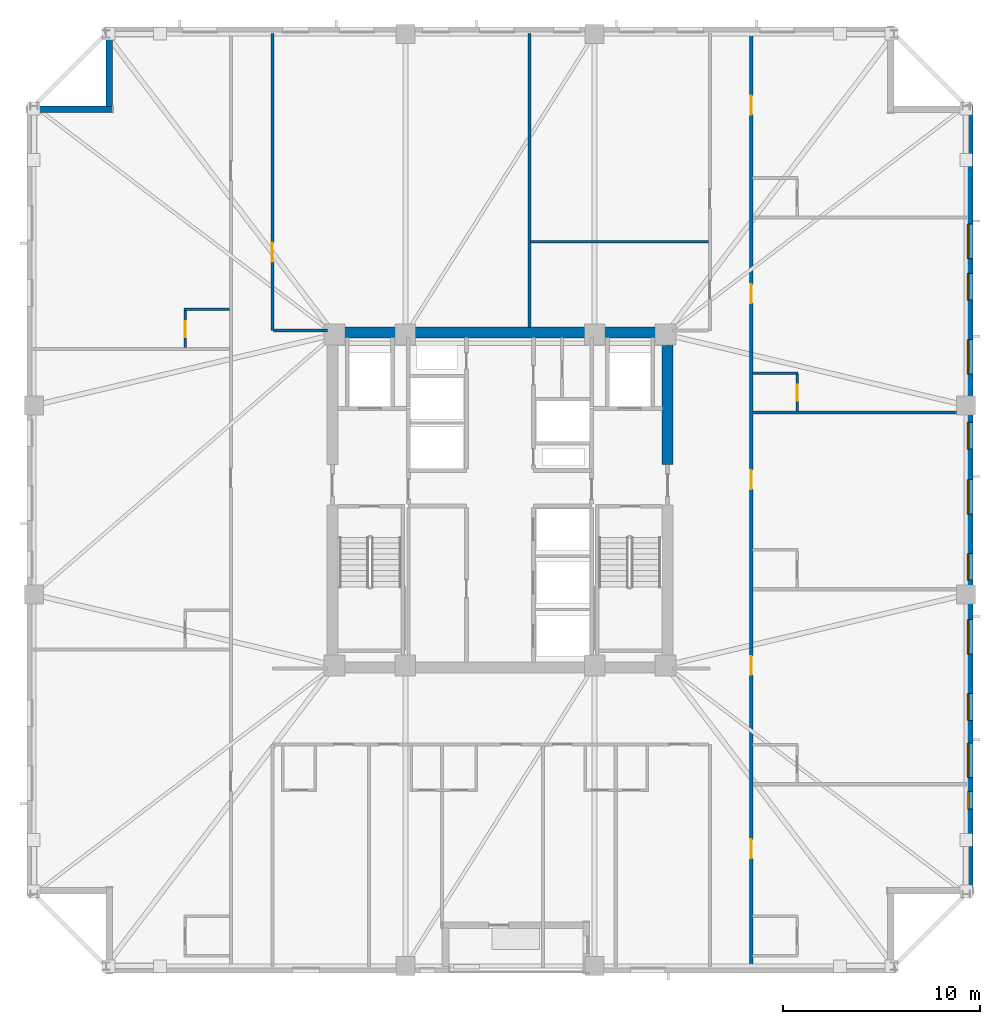
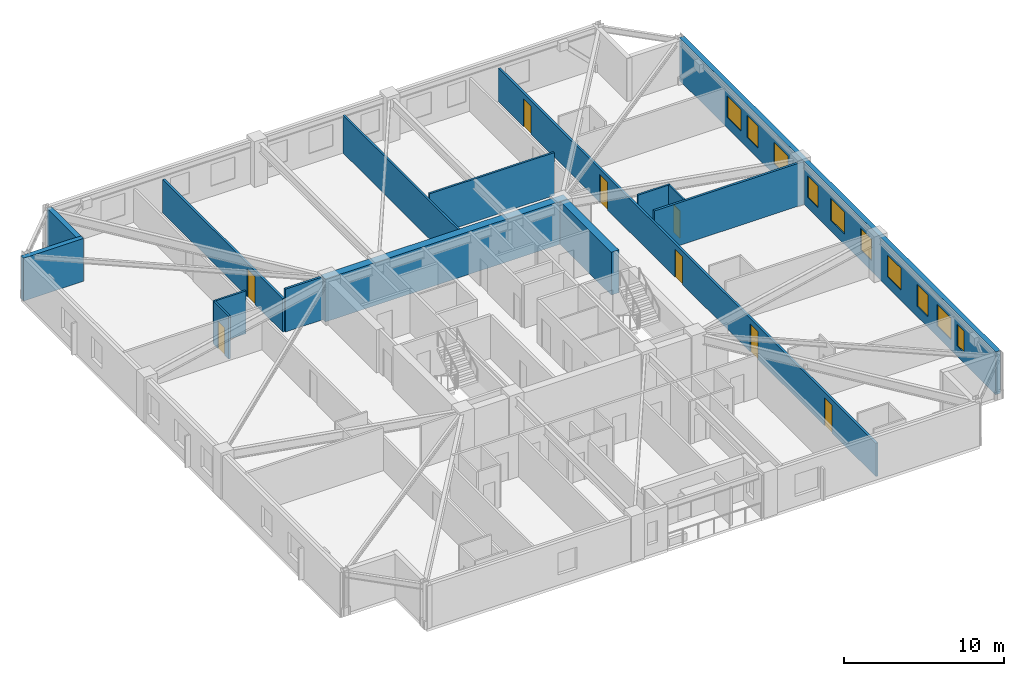
# One storey, part 5 of 11: 15 walls, 10 windows, 8 doors, 18 openings.
"""IFC4 building model written with IfcOpenShell, lengths in metres."""

from ifc_helpers import new_model, si_unit, direction, frame, frame_2d, origin, place, context, subcontext, project, spatial, rectangle, extrude, material, layer, layer_set, type_object, element, fill, save


model = new_model("IFC4")

# Units and contexts
model_context = context("Model", 3, precision=1e-05, world=origin(), true_north=direction((0.0, 1.0)))
body_context = subcontext(model_context, "Body", "Model", "MODEL_VIEW")
ifc_project = project(units=[si_unit("LENGTHUNIT", "METRE"), si_unit("AREAUNIT", "SQUARE_METRE"), si_unit("VOLUMEUNIT", "CUBIC_METRE"), si_unit("PLANEANGLEUNIT", "RADIAN"), si_unit("MASSUNIT", "GRAM", prefix="KILO")], contexts=[model_context])

# Site, building, storey
site_placement = place(None, origin())
site = spatial("IfcSite", under=ifc_project, at=site_placement, CompositionType="ELEMENT")
building_placement = place(site_placement, origin())
building = spatial("IfcBuilding", under=site, at=building_placement, Name="Cairnveth Concourse Tower", CompositionType="ELEMENT")
storey_placement = place(building_placement, frame((0.0, 0.0, 158.5)))
storey = spatial("IfcBuildingStorey", under=building, at=storey_placement, Name="L43", CompositionType="ELEMENT", Elevation=158.5)

# Wall, opening, door
ifc_material_1 = material(Name="Gypsum Plasterboard Partition", Category="gypsum")
ifc_layer_1 = layer(ifc_material_1, 0.159912109375)
ifc_layer_set_1 = layer_set([ifc_layer_1], Name="Gypsum Plasterboard Partition")
wall_type_1 = type_object("IfcWallType", Name="ACOUSTIC PARTY WALL 180", PredefinedType="PARTITIONING", material=ifc_layer_set_1)
wall_1_placement = place(storey_placement, frame((40.449951171875, 47.60009765625, 0.0), z_axis=(0.0, 0.0, 1.0), x_axis=(0.0, 1.0, 0.0)))
wall_1 = element("IfcWall", 1, at=wall_1_placement, inside=storey, type_object=wall_type_1, Name="Interior Wall IW-L43-038", PredefinedType="PARTITIONING", context=body_context, shape_type="SweptSolid", body=[
    extrude(rectangle(XDim=15.074951171875, YDim=0.159912109375, at=frame_2d((7.53759765625, 0.0))), origin(), (0.0, 0.0, 1.0), 2.554931640625),
])
opening_1_placement = place(wall_1_placement, frame((3.5, 0.0, 0.0)))
opening_1 = element("IfcOpeningElement", 2, at=opening_1_placement, cuts=wall_1, Name="Opening ID11", PredefinedType="OPENING", context=body_context, shape_type="SweptSolid", body=[
    extrude(rectangle(XDim=0.9599609375, YDim=2.1201171875, at=frame_2d((0.47998046875, 1.06005859375))), frame((0.0, 0.08984375, 0.0), z_axis=(0.0, -1.0, 0.0), x_axis=(1.0, 0.0, 0.0)), (0.0, 0.0, 1.0), 0.179931640625),
])
ifc_material_2 = material(Name="Solid Core Hardwood Timber Leaf", Category="wood")
door_type_1 = type_object("IfcDoorType", Name="INTERIOR SINGLE DOOR 960X2150", OperationType="NOTDEFINED", PredefinedType="DOOR", material=ifc_material_2)
door_1_placement = place(opening_1_placement, origin())
door_1 = element("IfcDoor", 3, at=door_1_placement, inside=storey, type_object=door_type_1, Name="Interior Door DR-L43-015", OperationType="SINGLE_SWING_LEFT", OverallHeight=2.1201171875, OverallWidth=0.9599609375, PredefinedType="DOOR", context=body_context, shape_type="SweptSolid", body=[
    extrude(rectangle(XDim=0.9599609375, YDim=2.1201171875, at=frame_2d((0.47998046875, 1.06005859375))), frame((0.0, 0.02490234375, 0.0), z_axis=(0.0, -1.0, 0.0), x_axis=(1.0, 0.0, 0.0)), (0.0, 0.0, 1.0), 0.050048828125),
])
fill(opening_1, door_1)

# Wall
wall_2_placement = place(storey_placement, frame((40.514892578125, 47.60009765625, 0.0), z_axis=(0.0, 0.0, 1.0), x_axis=(1.0, 0.0, 0.0)))
element("IfcWall", 4, at=wall_2_placement, inside=storey, type_object=wall_type_1, Name="Interior Wall IW-L43-040", PredefinedType="PARTITIONING", context=body_context, shape_type="SweptSolid", body=[
    extrude(rectangle(XDim=2.72021484375, YDim=0.159912109375, at=frame_2d((1.360107421875, 0.0))), origin(), (0.0, 0.0, 1.0), 3.280029296875),
])

# Wall, openings, doors
wall_3_placement = place(storey_placement, frame((64.75, 15.324951171875, 0.0), z_axis=(0.0, 0.0, 1.0), x_axis=(0.0, 1.0, 0.0)))
wall_3 = element("IfcWall", 5, at=wall_3_placement, inside=storey, type_object=wall_type_1, Name="Interior Wall IW-L43-041", PredefinedType="PARTITIONING", context=body_context, shape_type="SweptSolid", body=[
    extrude(rectangle(XDim=47.35009765625, YDim=0.159912109375, at=frame_2d((23.675048828125, 0.0))), origin(), (0.0, 0.0, 1.0), 2.554931640625),
])
opening_2_placement = place(wall_3_placement, frame((5.49365234375, 0.0, 0.0)))
opening_2 = element("IfcOpeningElement", 6, at=opening_2_placement, cuts=wall_3, Name="Opening ID09", PredefinedType="OPENING", context=body_context, shape_type="SweptSolid", body=[
    extrude(rectangle(XDim=0.9599609375, YDim=2.14990234375, at=frame_2d((0.47998046875, 1.074951171875))), frame((0.0, 0.08984375, 0.0), z_axis=(0.0, -1.0, 0.0), x_axis=(1.0, 0.0, 0.0)), (0.0, 0.0, 1.0), 0.179931640625),
])
opening_3_placement = place(wall_3_placement, frame((14.795654296875, 0.0, 0.0)))
opening_3 = element("IfcOpeningElement", 7, at=opening_3_placement, cuts=wall_3, Name="Opening ID09", PredefinedType="OPENING", context=body_context, shape_type="SweptSolid", body=[
    extrude(rectangle(XDim=0.9599609375, YDim=2.14990234375, at=frame_2d((0.47998046875, 1.074951171875))), frame((0.0, 0.08984375, 0.0), z_axis=(0.0, -1.0, 0.0), x_axis=(1.0, 0.0, 0.0)), (0.0, 0.0, 1.0), 0.179931640625),
])
opening_4_placement = place(wall_3_placement, frame((24.227783203125, 0.0, 0.0)))
opening_4 = element("IfcOpeningElement", 8, at=opening_4_placement, cuts=wall_3, Name="Opening ID09", PredefinedType="OPENING", context=body_context, shape_type="SweptSolid", body=[
    extrude(rectangle(XDim=0.9599609375, YDim=2.14990234375, at=frame_2d((0.47998046875, 1.074951171875))), frame((0.0, 0.08984375, 0.0), z_axis=(0.0, -1.0, 0.0), x_axis=(1.0, 0.0, 0.0)), (0.0, 0.0, 1.0), 0.179931640625),
])
opening_5_placement = place(wall_3_placement, frame((33.659912109375, 0.0, 0.0)))
opening_5 = element("IfcOpeningElement", 9, at=opening_5_placement, cuts=wall_3, Name="Opening ID09", PredefinedType="OPENING", context=body_context, shape_type="SweptSolid", body=[
    extrude(rectangle(XDim=0.9599609375, YDim=2.14990234375, at=frame_2d((0.47998046875, 1.074951171875))), frame((0.0, 0.08984375, 0.0), z_axis=(0.0, -1.0, 0.0), x_axis=(1.0, 0.0, 0.0)), (0.0, 0.0, 1.0), 0.179931640625),
])
opening_6_placement = place(wall_3_placement, frame((43.22900390625, 0.0, 0.0)))
opening_6 = element("IfcOpeningElement", 10, at=opening_6_placement, cuts=wall_3, Name="Opening ID09", PredefinedType="OPENING", context=body_context, shape_type="SweptSolid", body=[
    extrude(rectangle(XDim=0.9599609375, YDim=2.14990234375, at=frame_2d((0.47998046875, 1.074951171875))), frame((0.0, 0.08984375, 0.0), z_axis=(0.0, -1.0, 0.0), x_axis=(1.0, 0.0, 0.0)), (0.0, 0.0, 1.0), 0.179931640625),
])
door_type_2 = type_object("IfcDoorType", Name="HOTEL ENTRANCE DOOR 960X2150", OperationType="NOTDEFINED", PredefinedType="DOOR", material=ifc_material_2)
door_2_placement = place(opening_2_placement, origin())
door_2 = element("IfcDoor", 11, at=door_2_placement, inside=storey, type_object=door_type_2, Name="Hotel Room Door L43-E1", OperationType="SINGLE_SWING_LEFT", OverallHeight=2.14990234375, OverallWidth=0.9599609375, PredefinedType="DOOR", context=body_context, shape_type="SweptSolid", body=[
    extrude(rectangle(XDim=0.9599609375, YDim=2.14990234375, at=frame_2d((0.47998046875, 1.074951171875))), frame((0.0, 0.02490234375, 0.0), z_axis=(0.0, -1.0, 0.0), x_axis=(1.0, 0.0, 0.0)), (0.0, 0.0, 1.0), 0.050048828125),
])
fill(opening_2, door_2)
door_3_placement = place(opening_3_placement, origin())
door_3 = element("IfcDoor", 12, at=door_3_placement, inside=storey, type_object=door_type_2, Name="Hotel Room Door L43-E2", OperationType="SINGLE_SWING_LEFT", OverallHeight=2.14990234375, OverallWidth=0.9599609375, PredefinedType="DOOR", context=body_context, shape_type="SweptSolid", body=[
    extrude(rectangle(XDim=0.9599609375, YDim=2.14990234375, at=frame_2d((0.47998046875, 1.074951171875))), frame((0.0, 0.02490234375, 0.0), z_axis=(0.0, -1.0, 0.0), x_axis=(1.0, 0.0, 0.0)), (0.0, 0.0, 1.0), 0.050048828125),
])
fill(opening_3, door_3)
door_4_placement = place(opening_4_placement, origin())
door_4 = element("IfcDoor", 13, at=door_4_placement, inside=storey, type_object=door_type_2, Name="Hotel Room Door L43-E3", OperationType="SINGLE_SWING_LEFT", OverallHeight=2.14990234375, OverallWidth=0.9599609375, PredefinedType="DOOR", context=body_context, shape_type="SweptSolid", body=[
    extrude(rectangle(XDim=0.9599609375, YDim=2.14990234375, at=frame_2d((0.47998046875, 1.074951171875))), frame((0.0, 0.02490234375, 0.0), z_axis=(0.0, -1.0, 0.0), x_axis=(1.0, 0.0, 0.0)), (0.0, 0.0, 1.0), 0.050048828125),
])
fill(opening_4, door_4)
door_5_placement = place(opening_5_placement, origin())
door_5 = element("IfcDoor", 14, at=door_5_placement, inside=storey, type_object=door_type_2, Name="Hotel Room Door L43-E4", OperationType="SINGLE_SWING_LEFT", OverallHeight=2.14990234375, OverallWidth=0.9599609375, PredefinedType="DOOR", context=body_context, shape_type="SweptSolid", body=[
    extrude(rectangle(XDim=0.9599609375, YDim=2.14990234375, at=frame_2d((0.47998046875, 1.074951171875))), frame((0.0, 0.02490234375, 0.0), z_axis=(0.0, -1.0, 0.0), x_axis=(1.0, 0.0, 0.0)), (0.0, 0.0, 1.0), 0.050048828125),
])
fill(opening_5, door_5)
door_6_placement = place(opening_6_placement, origin())
door_6 = element("IfcDoor", 15, at=door_6_placement, inside=storey, type_object=door_type_2, Name="Hotel Room Door L43-E5", OperationType="SINGLE_SWING_LEFT", OverallHeight=2.14990234375, OverallWidth=0.9599609375, PredefinedType="DOOR", context=body_context, shape_type="SweptSolid", body=[
    extrude(rectangle(XDim=0.9599609375, YDim=2.14990234375, at=frame_2d((0.47998046875, 1.074951171875))), frame((0.0, 0.02490234375, 0.0), z_axis=(0.0, -1.0, 0.0), x_axis=(1.0, 0.0, 0.0)), (0.0, 0.0, 1.0), 0.050048828125),
])
fill(opening_6, door_6)

# Walls
wall_4_placement = place(storey_placement, frame((64.830078125, 43.44140625, 0.0), z_axis=(0.0, 0.0, 1.0), x_axis=(1.0, 0.0, 0.0)))
element("IfcWall", 16, at=wall_4_placement, inside=storey, type_object=wall_type_1, Name="Interior Wall IW-L43-082", PredefinedType="PARTITIONING", context=body_context, shape_type="SweptSolid", body=[
    extrude(rectangle(XDim=10.844970703125, YDim=0.159912109375, at=frame_2d((5.42236328125, 0.0))), origin(), (0.0, 0.0, 1.0), 3.280029296875),
])
ifc_material_3 = material(Name="Concrete N80 (80 MPa)", Category="concrete")
ifc_layer_2 = layer(ifc_material_3, 0.550048828125)
ifc_layer_set_2 = layer_set([ifc_layer_2], Name="Concrete N80 (80 MPa)")
wall_type_2 = type_object("IfcWallType", Name="CORE SHEAR WALL 550", PredefinedType="SHEAR", material=ifc_layer_set_2)
wall_5_placement = place(storey_placement, frame((43.22509765625, 47.5, 0.0), z_axis=(0.0, 0.0, 1.0), x_axis=(1.0, 0.0, 0.0)))
element("IfcWall", 17, at=wall_5_placement, inside=storey, type_object=wall_type_2, Name="Core North Shear Wall L43", PredefinedType="SHEAR", context=body_context, shape_type="SweptSolid", body=[
    extrude(rectangle(XDim=17.5498046875, YDim=0.550048828125, at=frame_2d((8.77490234375, 0.0))), origin(), (0.0, 0.0, 1.0), 3.280029296875),
])
wall_6_placement = place(storey_placement, frame((60.5, 40.800048828125, 0.0), z_axis=(0.0, 0.0, 1.0), x_axis=(0.0, 1.0, 0.0)))
element("IfcWall", 18, at=wall_6_placement, inside=storey, type_object=wall_type_2, Name="Core East Shear Wall N L43", PredefinedType="SHEAR", context=body_context, shape_type="SweptSolid", body=[
    extrude(rectangle(XDim=6.43505859375, YDim=0.550048828125, at=frame_2d((3.217529296875, 0.0))), origin(), (0.0, 0.0, 1.0), 3.280029296875),
])
ifc_layer_3 = layer(ifc_material_1, 0.139892578125)
ifc_layer_set_3 = layer_set([ifc_layer_3], Name="Gypsum Plasterboard Partition")
wall_type_3 = type_object("IfcWallType", Name="GYPSUM STUD PARTITION 140", PredefinedType="PARTITIONING", material=ifc_layer_set_3)
wall_7_placement = place(storey_placement, frame((53.5, 47.760009765625, 0.0), z_axis=(0.0, 0.0, 1.0), x_axis=(0.0, 1.0, 0.0)))
element("IfcWall", 19, at=wall_7_placement, inside=storey, type_object=wall_type_3, Name="Interior Wall IW-L43-047", PredefinedType="PARTITIONING", context=body_context, shape_type="SweptSolid", body=[
    extrude(rectangle(XDim=14.9150390625, YDim=0.139892578125, at=frame_2d((7.45751953125, 0.0))), origin(), (0.0, 0.0, 1.0), 2.89599609375),
])
wall_8_placement = place(storey_placement, frame((53.554931640625, 52.10009765625, 0.0), z_axis=(0.0, 0.0, 1.0), x_axis=(1.0, 0.0, 0.0)))
element("IfcWall", 20, at=wall_8_placement, inside=storey, type_object=wall_type_3, Name="Interior Wall IW-L43-048", PredefinedType="PARTITIONING", context=body_context, shape_type="SweptSolid", body=[
    extrude(rectangle(XDim=9.030029296875, YDim=0.139892578125, at=frame_2d((4.51513671875, 0.0))), origin(), (0.0, 0.0, 1.0), 3.280029296875),
])
ifc_layer_4 = layer(ifc_material_1, 0.1298828125)
ifc_layer_set_4 = layer_set([ifc_layer_4], Name="Gypsum Plasterboard Partition")
wall_type_4 = type_object("IfcWallType", Name="WET AREA PARTITION 140", PredefinedType="PLUMBINGWALL", material=ifc_layer_set_4)
wall_9_placement = place(storey_placement, frame((35.969970703125, 48.669921875, 0.0), z_axis=(0.0, 0.0, 1.0), x_axis=(1.0, 0.0, 0.0)))
element("IfcWall", 21, at=wall_9_placement, inside=storey, type_object=wall_type_4, Name="Interior Wall IW-L43-071", PredefinedType="PLUMBINGWALL", context=body_context, shape_type="SweptSolid", body=[
    extrude(rectangle(XDim=2.31494140625, YDim=0.1298828125, at=frame_2d((1.157470703125, 0.0))), origin(), (0.0, 0.0, 1.0), 3.280029296875),
])

# Wall, opening, door
wall_10_placement = place(storey_placement, frame((36.02001953125, 46.73486328125, 0.0), z_axis=(0.0, 0.0, 1.0), x_axis=(0.0, 1.0, 0.0)))
wall_10 = element("IfcWall", 22, at=wall_10_placement, inside=storey, type_object=wall_type_4, Name="Interior Wall IW-L43-072", PredefinedType="PLUMBINGWALL", context=body_context, shape_type="SweptSolid", body=[
    extrude(rectangle(XDim=1.885009765625, YDim=0.1298828125, at=frame_2d((0.9423828125, 0.0))), origin(), (0.0, 0.0, 1.0), 3.280029296875),
])
opening_7_placement = place(wall_10_placement, frame((0.52490234375, 0.0, 0.0)))
opening_7 = element("IfcOpeningElement", 23, at=opening_7_placement, cuts=wall_10, Name="Opening ID22", PredefinedType="OPENING", context=body_context, shape_type="SweptSolid", body=[
    extrude(rectangle(XDim=0.820068359375, YDim=2.10009765625, at=frame_2d((0.41015625, 1.050048828125))), frame((0.0, 0.074951171875, 0.0), z_axis=(0.0, -1.0, 0.0), x_axis=(1.0, 0.0, 0.0)), (0.0, 0.0, 1.0), 0.14990234375),
])
door_type_3 = type_object("IfcDoorType", Name="INTERIOR WC DOOR 820X2100", OperationType="NOTDEFINED", PredefinedType="DOOR", material=ifc_material_2)
door_7_placement = place(opening_7_placement, origin())
door_7 = element("IfcDoor", 24, at=door_7_placement, inside=storey, type_object=door_type_3, Name="En-Suite Door L43-W3", OperationType="SINGLE_SWING_RIGHT", OverallHeight=2.10009765625, OverallWidth=0.820068359375, PredefinedType="DOOR", context=body_context, shape_type="SweptSolid", body=[
    extrude(rectangle(XDim=0.820068359375, YDim=2.10009765625, at=frame_2d((0.41015625, 1.050048828125))), frame((0.0, 0.02490234375, 0.0), z_axis=(0.0, -1.0, 0.0), x_axis=(1.0, 0.0, 0.0)), (0.0, 0.0, 1.0), 0.050048828125),
])
fill(opening_7, door_7)

# Wall
wall_11_placement = place(storey_placement, frame((64.81494140625, 45.44140625, 0.0), z_axis=(0.0, 0.0, 1.0), x_axis=(1.0, 0.0, 0.0)))
element("IfcWall", 25, at=wall_11_placement, inside=storey, type_object=wall_type_4, Name="Interior Wall IW-L43-083", PredefinedType="PLUMBINGWALL", context=body_context, shape_type="SweptSolid", body=[
    extrude(rectangle(XDim=2.31494140625, YDim=0.1298828125, at=frame_2d((1.157470703125, 0.0))), origin(), (0.0, 0.0, 1.0), 3.280029296875),
])

# Wall, opening, door
wall_12_placement = place(storey_placement, frame((67.080078125, 43.50634765625, 0.0), z_axis=(0.0, 0.0, 1.0), x_axis=(0.0, 1.0, 0.0)))
wall_12 = element("IfcWall", 26, at=wall_12_placement, inside=storey, type_object=wall_type_4, Name="Interior Wall IW-L43-084", PredefinedType="PLUMBINGWALL", context=body_context, shape_type="SweptSolid", body=[
    extrude(rectangle(XDim=1.885009765625, YDim=0.1298828125, at=frame_2d((0.9423828125, 0.0))), origin(), (0.0, 0.0, 1.0), 3.280029296875),
])
opening_8_placement = place(wall_12_placement, frame((0.52490234375, 0.0, 0.0)))
opening_8 = element("IfcOpeningElement", 27, at=opening_8_placement, cuts=wall_12, Name="Opening ID22", PredefinedType="OPENING", context=body_context, shape_type="SweptSolid", body=[
    extrude(rectangle(XDim=0.820068359375, YDim=2.10009765625, at=frame_2d((0.41015625, 1.050048828125))), frame((0.0, 0.074951171875, 0.0), z_axis=(0.0, -1.0, 0.0), x_axis=(1.0, 0.0, 0.0)), (0.0, 0.0, 1.0), 0.14990234375),
])
door_8_placement = place(opening_8_placement, origin())
door_8 = element("IfcDoor", 28, at=door_8_placement, inside=storey, type_object=door_type_3, Name="En-Suite Door L43-E4", OperationType="SINGLE_SWING_RIGHT", OverallHeight=2.10009765625, OverallWidth=0.820068359375, PredefinedType="DOOR", context=body_context, shape_type="SweptSolid", body=[
    extrude(rectangle(XDim=0.820068359375, YDim=2.10009765625, at=frame_2d((0.41015625, 1.050048828125))), frame((0.0, 0.02490234375, 0.0), z_axis=(0.0, -1.0, 0.0), x_axis=(1.0, 0.0, 0.0)), (0.0, 0.0, 1.0), 0.050048828125),
])
fill(opening_8, door_8)

# Walls
ifc_material_4 = material(Name="Hawthorn Red-Ochre Fired Clay Brick Masonry", Category="masonry")
ifc_layer_5 = layer(ifc_material_4, 0.340087890625)
ifc_layer_set_5 = layer_set([ifc_layer_5], Name="Hawthorn Red-Ochre Fired Clay Brick Masonry")
wall_type_5 = type_object("IfcWallType", Name="ZONE 2 BRICK PIER SPANDREL WALL 340", PredefinedType="SOLIDWALL", material=ifc_layer_set_5)
wall_13_placement = place(storey_placement, frame((28.0, 58.830078125, 0.0), z_axis=(0.0, 0.0, 1.0), x_axis=(1.0, 0.0, 0.0)))
element("IfcWall", 29, at=wall_13_placement, inside=storey, type_object=wall_type_5, Name="Exterior Wall EW-L43-S04", PredefinedType="SOLIDWALL", context=body_context, shape_type="SweptSolid", body=[
    extrude(rectangle(XDim=4.340087890625, YDim=0.340087890625, at=frame_2d((2.169921875, 0.0))), origin(), (0.0, 0.0, 1.0), 3.280029296875),
])
wall_14_placement = place(storey_placement, frame((32.169921875, 58.97802734375, 0.0), z_axis=(0.0, 0.0, 1.0), x_axis=(0.0, 1.0, 0.0)))
element("IfcWall", 30, at=wall_14_placement, inside=storey, type_object=wall_type_5, Name="Exterior Wall EW-L43-S05", PredefinedType="SOLIDWALL", context=body_context, shape_type="SweptSolid", body=[
    extrude(rectangle(XDim=3.703857421875, YDim=0.340087890625, at=frame_2d((1.85205078125, 0.0))), origin(), (0.0, 0.0, 1.0), 3.280029296875),
])

# Wall, openings, windows
wall_15_placement = place(storey_placement, frame((75.830078125, 59.0, 0.0), z_axis=(0.0, 0.0, 1.0), x_axis=(0.0, -1.0, 0.0)))
wall_15 = element("IfcWall", 31, at=wall_15_placement, inside=storey, type_object=wall_type_5, Name="Exterior Wall EW-L43-S09", PredefinedType="SOLIDWALL", context=body_context, shape_type="SweptSolid", body=[
    extrude(rectangle(XDim=39.681884765625, YDim=0.340087890625, at=frame_2d((19.8408203125, 0.0))), origin(), (0.0, 0.0, 1.0), 3.280029296875),
])
opening_9_placement = place(wall_15_placement, frame((6.001708984375, 0.0, 0.800048828125)))
opening_9 = element("IfcOpeningElement", 32, at=opening_9_placement, cuts=wall_15, Name="Opening W06", PredefinedType="OPENING", context=body_context, shape_type="SweptSolid", body=[
    extrude(rectangle(XDim=1.75, YDim=1.659912109375, at=frame_2d((0.875, 0.830078125))), frame((0.0, 0.179931640625, 0.0), z_axis=(0.0, -1.0, 0.0), x_axis=(1.0, 0.0, 0.0)), (0.0, 0.0, 1.0), 0.360107421875),
])
opening_10_placement = place(wall_15_placement, frame((8.50537109375, 0.0, 0.800048828125)))
opening_10 = element("IfcOpeningElement", 33, at=opening_10_placement, cuts=wall_15, Name="Opening W02", PredefinedType="OPENING", context=body_context, shape_type="SweptSolid", body=[
    extrude(rectangle(XDim=1.35009765625, YDim=1.659912109375, at=frame_2d((0.675048828125, 0.830078125))), frame((0.0, 0.179931640625, 0.0), z_axis=(0.0, -1.0, 0.0), x_axis=(1.0, 0.0, 0.0)), (0.0, 0.0, 1.0), 0.360107421875),
])
opening_11_placement = place(wall_15_placement, frame((11.85888671875, 0.0, 0.800048828125)))
opening_11 = element("IfcOpeningElement", 34, at=opening_11_placement, cuts=wall_15, Name="Opening W06", PredefinedType="OPENING", context=body_context, shape_type="SweptSolid", body=[
    extrude(rectangle(XDim=1.75, YDim=1.659912109375, at=frame_2d((0.875, 0.830078125))), frame((0.0, 0.179931640625, 0.0), z_axis=(0.0, -1.0, 0.0), x_axis=(1.0, 0.0, 0.0)), (0.0, 0.0, 1.0), 0.360107421875),
])
opening_12_placement = place(wall_15_placement, frame((16.0625, 0.0, 0.800048828125)))
opening_12 = element("IfcOpeningElement", 35, at=opening_12_placement, cuts=wall_15, Name="Opening W02", PredefinedType="OPENING", context=body_context, shape_type="SweptSolid", body=[
    extrude(rectangle(XDim=1.35009765625, YDim=1.659912109375, at=frame_2d((0.675048828125, 0.830078125))), frame((0.0, 0.179931640625, 0.0), z_axis=(0.0, -1.0, 0.0), x_axis=(1.0, 0.0, 0.0)), (0.0, 0.0, 1.0), 0.360107421875),
])
opening_13_placement = place(wall_15_placement, frame((18.966064453125, 0.0, 0.800048828125)))
opening_13 = element("IfcOpeningElement", 36, at=opening_13_placement, cuts=wall_15, Name="Opening W06", PredefinedType="OPENING", context=body_context, shape_type="SweptSolid", body=[
    extrude(rectangle(XDim=1.75, YDim=1.659912109375, at=frame_2d((0.875, 0.830078125))), frame((0.0, 0.179931640625, 0.0), z_axis=(0.0, -1.0, 0.0), x_axis=(1.0, 0.0, 0.0)), (0.0, 0.0, 1.0), 0.360107421875),
])
opening_14_placement = place(wall_15_placement, frame((22.719482421875, 0.0, 0.800048828125)))
opening_14 = element("IfcOpeningElement", 37, at=opening_14_placement, cuts=wall_15, Name="Opening W02", PredefinedType="OPENING", context=body_context, shape_type="SweptSolid", body=[
    extrude(rectangle(XDim=1.35009765625, YDim=1.659912109375, at=frame_2d((0.675048828125, 0.830078125))), frame((0.0, 0.179931640625, 0.0), z_axis=(0.0, -1.0, 0.0), x_axis=(1.0, 0.0, 0.0)), (0.0, 0.0, 1.0), 0.360107421875),
])
opening_15_placement = place(wall_15_placement, frame((26.072998046875, 0.0, 0.800048828125)))
opening_15 = element("IfcOpeningElement", 38, at=opening_15_placement, cuts=wall_15, Name="Opening W06", PredefinedType="OPENING", context=body_context, shape_type="SweptSolid", body=[
    extrude(rectangle(XDim=1.75, YDim=1.659912109375, at=frame_2d((0.875, 0.830078125))), frame((0.0, 0.179931640625, 0.0), z_axis=(0.0, -1.0, 0.0), x_axis=(1.0, 0.0, 0.0)), (0.0, 0.0, 1.0), 0.360107421875),
])
opening_16_placement = place(wall_15_placement, frame((29.82666015625, 0.0, 0.800048828125)))
opening_16 = element("IfcOpeningElement", 39, at=opening_16_placement, cuts=wall_15, Name="Opening W02", PredefinedType="OPENING", context=body_context, shape_type="SweptSolid", body=[
    extrude(rectangle(XDim=1.35009765625, YDim=1.659912109375, at=frame_2d((0.675048828125, 0.830078125))), frame((0.0, 0.179931640625, 0.0), z_axis=(0.0, -1.0, 0.0), x_axis=(1.0, 0.0, 0.0)), (0.0, 0.0, 1.0), 0.360107421875),
])
opening_17_placement = place(wall_15_placement, frame((32.330078125, 0.0, 0.800048828125)))
opening_17 = element("IfcOpeningElement", 40, at=opening_17_placement, cuts=wall_15, Name="Opening W06", PredefinedType="OPENING", context=body_context, shape_type="SweptSolid", body=[
    extrude(rectangle(XDim=1.75, YDim=1.659912109375, at=frame_2d((0.875, 0.830078125))), frame((0.0, 0.179931640625, 0.0), z_axis=(0.0, -1.0, 0.0), x_axis=(1.0, 0.0, 0.0)), (0.0, 0.0, 1.0), 0.360107421875),
])
opening_18_placement = place(wall_15_placement, frame((34.7900390625, 0.0, 0.800048828125)))
opening_18 = element("IfcOpeningElement", 41, at=opening_18_placement, cuts=wall_15, Name="Opening W13", PredefinedType="OPENING", context=body_context, shape_type="SweptSolid", body=[
    extrude(rectangle(XDim=0.89990234375, YDim=1.659912109375, at=frame_2d((0.449951171875, 0.830078125))), frame((0.0, 0.179931640625, 0.0), z_axis=(0.0, -1.0, 0.0), x_axis=(1.0, 0.0, 0.0)), (0.0, 0.0, 1.0), 0.360107421875),
])
ifc_material_5 = material(Name="Double Glazed Low-E Clear Glass", Category="glass")
window_type_1 = type_object("IfcWindowType", Name="DEEP-SET BEDROOM LANCET WINDOW 900X1750", PartitioningType="DOUBLE_PANEL_VERTICAL", PredefinedType="WINDOW", material=ifc_material_5)
window_1_placement = place(opening_18_placement, origin())
window_1 = element("IfcWindow", 42, at=window_1_placement, inside=storey, type_object=window_type_1, Name="Dwelling Lancet Window L43-DW3", OverallHeight=1.659912109375, OverallWidth=0.89990234375, PartitioningType="SINGLE_PANEL", PredefinedType="WINDOW", context=body_context, shape_type="SweptSolid", body=[
    extrude(rectangle(XDim=0.89990234375, YDim=1.659912109375, at=frame_2d((0.449951171875, 0.830078125))), frame((0.0, -0.0400390625, 0.0), z_axis=(0.0, -1.0, 0.0), x_axis=(1.0, 0.0, 0.0)), (0.0, 0.0, 1.0), 0.06005859375),
])
fill(opening_18, window_1)
window_type_2 = type_object("IfcWindowType", Name="DEEP-SET GOTHIC LANCET WINDOW 1350X1800", PartitioningType="DOUBLE_PANEL_VERTICAL", PredefinedType="WINDOW", material=ifc_material_5)
window_2_placement = place(opening_10_placement, origin())
window_2 = element("IfcWindow", 43, at=window_2_placement, inside=storey, type_object=window_type_2, Name="Gothic Lancet Window L43-9-2", OverallHeight=1.659912109375, OverallWidth=1.35009765625, PartitioningType="SINGLE_PANEL", PredefinedType="WINDOW", context=body_context, shape_type="SweptSolid", body=[
    extrude(rectangle(XDim=1.35009765625, YDim=1.659912109375, at=frame_2d((0.675048828125, 0.830078125))), frame((0.0, -0.050048828125, 0.0), z_axis=(0.0, -1.0, 0.0), x_axis=(1.0, 0.0, 0.0)), (0.0, 0.0, 1.0), 0.06005859375),
])
fill(opening_10, window_2)
window_3_placement = place(opening_12_placement, origin())
window_3 = element("IfcWindow", 44, at=window_3_placement, inside=storey, type_object=window_type_2, Name="Gothic Lancet Window L43-9-4", OverallHeight=1.659912109375, OverallWidth=1.35009765625, PartitioningType="SINGLE_PANEL", PredefinedType="WINDOW", context=body_context, shape_type="SweptSolid", body=[
    extrude(rectangle(XDim=1.35009765625, YDim=1.659912109375, at=frame_2d((0.675048828125, 0.830078125))), frame((0.0, -0.050048828125, 0.0), z_axis=(0.0, -1.0, 0.0), x_axis=(1.0, 0.0, 0.0)), (0.0, 0.0, 1.0), 0.06005859375),
])
fill(opening_12, window_3)
window_4_placement = place(opening_14_placement, origin())
window_4 = element("IfcWindow", 45, at=window_4_placement, inside=storey, type_object=window_type_2, Name="Gothic Lancet Window L43-9-6", OverallHeight=1.659912109375, OverallWidth=1.35009765625, PartitioningType="SINGLE_PANEL", PredefinedType="WINDOW", context=body_context, shape_type="SweptSolid", body=[
    extrude(rectangle(XDim=1.35009765625, YDim=1.659912109375, at=frame_2d((0.675048828125, 0.830078125))), frame((0.0, -0.050048828125, 0.0), z_axis=(0.0, -1.0, 0.0), x_axis=(1.0, 0.0, 0.0)), (0.0, 0.0, 1.0), 0.06005859375),
])
fill(opening_14, window_4)
window_5_placement = place(opening_16_placement, origin())
window_5 = element("IfcWindow", 46, at=window_5_placement, inside=storey, type_object=window_type_2, Name="Gothic Lancet Window L43-9-8", OverallHeight=1.659912109375, OverallWidth=1.35009765625, PartitioningType="SINGLE_PANEL", PredefinedType="WINDOW", context=body_context, shape_type="SweptSolid", body=[
    extrude(rectangle(XDim=1.35009765625, YDim=1.659912109375, at=frame_2d((0.675048828125, 0.830078125))), frame((0.0, -0.050048828125, 0.0), z_axis=(0.0, -1.0, 0.0), x_axis=(1.0, 0.0, 0.0)), (0.0, 0.0, 1.0), 0.06005859375),
])
fill(opening_16, window_5)
window_type_3 = type_object("IfcWindowType", Name="DEEP-SET HOTEL SUITE WINDOW 1750X1800", PartitioningType="DOUBLE_PANEL_VERTICAL", PredefinedType="WINDOW", material=ifc_material_5)
window_6_placement = place(opening_9_placement, origin())
window_6 = element("IfcWindow", 47, at=window_6_placement, inside=storey, type_object=window_type_3, Name="Gothic Lancet Window L43-9-1", OverallHeight=1.659912109375, OverallWidth=1.75, PartitioningType="SINGLE_PANEL", PredefinedType="WINDOW", context=body_context, shape_type="SweptSolid", body=[
    extrude(rectangle(XDim=1.75, YDim=1.659912109375, at=frame_2d((0.875, 0.830078125))), frame((0.0, -0.050048828125, 0.0), z_axis=(0.0, -1.0, 0.0), x_axis=(1.0, 0.0, 0.0)), (0.0, 0.0, 1.0), 0.06005859375),
])
fill(opening_9, window_6)
window_7_placement = place(opening_11_placement, origin())
window_7 = element("IfcWindow", 48, at=window_7_placement, inside=storey, type_object=window_type_3, Name="Gothic Lancet Window L43-9-3", OverallHeight=1.659912109375, OverallWidth=1.75, PartitioningType="SINGLE_PANEL", PredefinedType="WINDOW", context=body_context, shape_type="SweptSolid", body=[
    extrude(rectangle(XDim=1.75, YDim=1.659912109375, at=frame_2d((0.875, 0.830078125))), frame((0.0, -0.050048828125, 0.0), z_axis=(0.0, -1.0, 0.0), x_axis=(1.0, 0.0, 0.0)), (0.0, 0.0, 1.0), 0.06005859375),
])
fill(opening_11, window_7)
window_8_placement = place(opening_13_placement, origin())
window_8 = element("IfcWindow", 49, at=window_8_placement, inside=storey, type_object=window_type_3, Name="Gothic Lancet Window L43-9-5", OverallHeight=1.659912109375, OverallWidth=1.75, PartitioningType="SINGLE_PANEL", PredefinedType="WINDOW", context=body_context, shape_type="SweptSolid", body=[
    extrude(rectangle(XDim=1.75, YDim=1.659912109375, at=frame_2d((0.875, 0.830078125))), frame((0.0, -0.050048828125, 0.0), z_axis=(0.0, -1.0, 0.0), x_axis=(1.0, 0.0, 0.0)), (0.0, 0.0, 1.0), 0.06005859375),
])
fill(opening_13, window_8)
window_9_placement = place(opening_15_placement, origin())
window_9 = element("IfcWindow", 50, at=window_9_placement, inside=storey, type_object=window_type_3, Name="Gothic Lancet Window L43-9-7", OverallHeight=1.659912109375, OverallWidth=1.75, PartitioningType="SINGLE_PANEL", PredefinedType="WINDOW", context=body_context, shape_type="SweptSolid", body=[
    extrude(rectangle(XDim=1.75, YDim=1.659912109375, at=frame_2d((0.875, 0.830078125))), frame((0.0, -0.050048828125, 0.0), z_axis=(0.0, -1.0, 0.0), x_axis=(1.0, 0.0, 0.0)), (0.0, 0.0, 1.0), 0.06005859375),
])
fill(opening_15, window_9)
window_10_placement = place(opening_17_placement, origin())
window_10 = element("IfcWindow", 51, at=window_10_placement, inside=storey, type_object=window_type_3, Name="Gothic Lancet Window L43-9-9", OverallHeight=1.659912109375, OverallWidth=1.75, PartitioningType="SINGLE_PANEL", PredefinedType="WINDOW", context=body_context, shape_type="SweptSolid", body=[
    extrude(rectangle(XDim=1.75, YDim=1.659912109375, at=frame_2d((0.875, 0.830078125))), frame((0.0, -0.050048828125, 0.0), z_axis=(0.0, -1.0, 0.0), x_axis=(1.0, 0.0, 0.0)), (0.0, 0.0, 1.0), 0.06005859375),
])
fill(opening_17, window_10)

save(model, "model.ifc")
